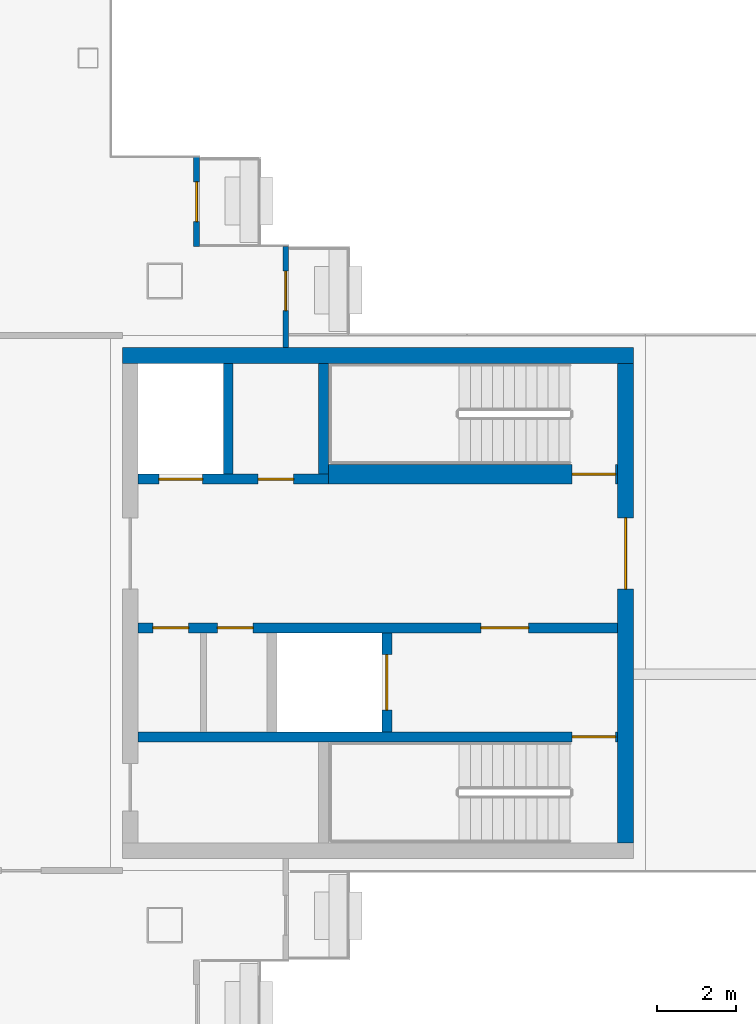
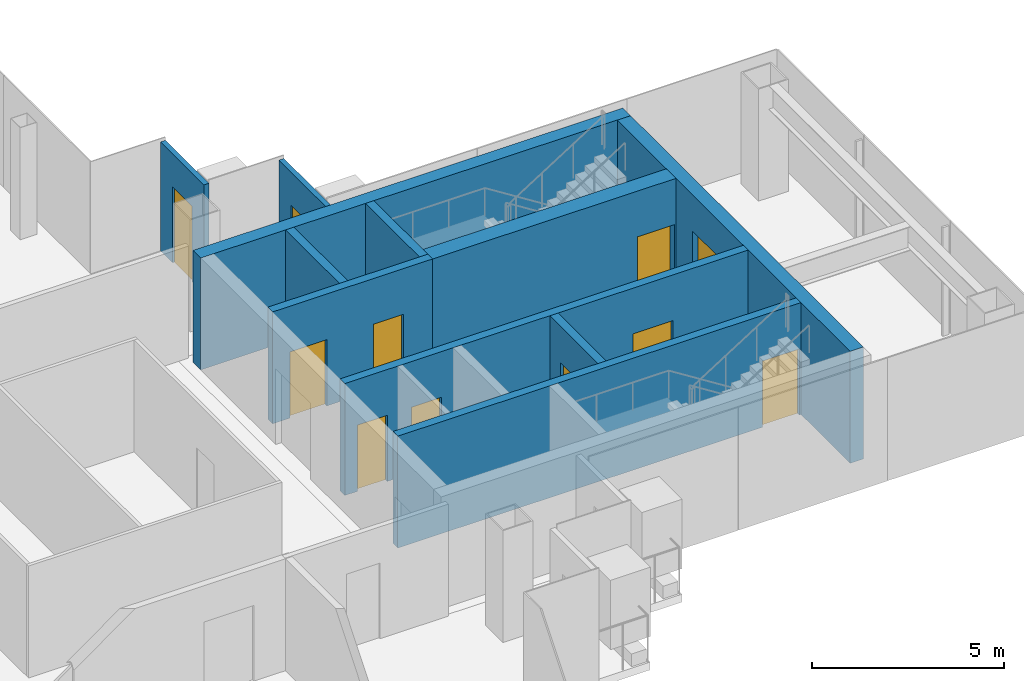
# One storey, part 12 of 16: 11 doors, 11 walls, 11 openings.
"""IFC4 building model written with IfcOpenShell, lengths in metres."""

from ifc_helpers import new_model, si_unit, direction, frame, frame_2d, origin, place, context, subcontext, project, spatial, rectangle, extrude, material, layer, layer_set, type_object, element, fill, save


model = new_model("IFC4")

# Units and contexts
model_context = context("Model", 3, precision=1e-05, world=origin(), true_north=direction((0.0, 1.0)))
body_context = subcontext(model_context, "Body", "Model", "MODEL_VIEW")
ifc_project = project(units=[si_unit("LENGTHUNIT", "METRE"), si_unit("AREAUNIT", "SQUARE_METRE"), si_unit("VOLUMEUNIT", "CUBIC_METRE"), si_unit("PLANEANGLEUNIT", "RADIAN"), si_unit("MASSUNIT", "GRAM", prefix="KILO")], contexts=[model_context])

# Site, building, storey
site_placement = place(None, origin())
site = spatial("IfcSite", under=ifc_project, at=site_placement, CompositionType="ELEMENT")
building_placement = place(site_placement, origin())
building = spatial("IfcBuilding", under=site, at=building_placement, Name="Shamsa Quay Exchange Towers", CompositionType="ELEMENT")
storey_placement = place(building_placement, frame((0.0, 0.0, 246.0)))
storey = spatial("IfcBuildingStorey", under=building, at=storey_placement, Name="L59", CompositionType="ELEMENT", Elevation=246.0)

# Wall, opening, door
ifc_material_1 = material(Name="Aluminium EN AW-6063 T6, black anodised, with black enamelled glass infill", Category="aluminium")
ifc_layer_1 = layer(ifc_material_1, 0.14990234375)
ifc_layer_set_1 = layer_set([ifc_layer_1], Name="BALCONY DOOR BAY WALL 150")
wall_type_1 = type_object("IfcWallType", Name="BALCONY DOOR BAY WALL 150", PredefinedType="SOLIDWALL", material=ifc_layer_set_1)
wall_1_placement = place(storey_placement, frame((42.675048828125, 11.25, 0.0), z_axis=(0.0, 0.0, 1.0), x_axis=(0.0, -1.0, 0.0)))
wall_1 = element("IfcWall", 1, at=wall_1_placement, inside=storey, type_object=wall_type_1, Name="Door bay T2-PKES L59", PredefinedType="SOLIDWALL", context=body_context, shape_type="SweptSolid", body=[
    extrude(rectangle(XDim=2.25, YDim=0.14990234375, at=frame_2d((1.125, 0.0))), origin(), (0.0, 0.0, 1.0), 3.449951171875),
])
opening_1_placement = place(wall_1_placement, frame((0.625, 0.0, 0.0)))
opening_1 = element("IfcOpeningElement", 2, at=opening_1_placement, cuts=wall_1, Name="Opening XD395", PredefinedType="OPENING", context=body_context, shape_type="SweptSolid", body=[
    extrude(rectangle(XDim=1.0, YDim=2.39990234375, at=frame_2d((0.5, 1.199951171875))), frame((0.0, 0.0849609375, 0.0), z_axis=(0.0, -1.0, 0.0), x_axis=(1.0, 0.0, 0.0)), (0.0, 0.0, 1.0), 0.169921875),
])
ifc_material_2 = material(Name="Aluminium EN AW-6063 T6, black anodised, with laminated glass leaf", Category="aluminium")
door_type_1 = type_object("IfcDoorType", Name="BALCONY DOOR 1000x2400", OperationType="SINGLE_SWING_LEFT", PredefinedType="DOOR", material=ifc_material_2)
door_1_placement = place(opening_1_placement, origin())
door_1 = element("IfcDoor", 3, at=door_1_placement, inside=storey, type_object=door_type_1, Name="Balcony door T2-PKES L59", OperationType="SINGLE_SWING_RIGHT", OverallHeight=2.39990234375, OverallWidth=1.0, PredefinedType="DOOR", context=body_context, shape_type="SweptSolid", body=[
    extrude(rectangle(XDim=1.0, YDim=2.39990234375, at=frame_2d((0.5, 1.199951171875))), frame((0.0, 0.02490234375, 0.0), z_axis=(0.0, -1.0, 0.0), x_axis=(1.0, 0.0, 0.0)), (0.0, 0.0, 1.0), 0.050048828125),
])
fill(opening_1, door_1)

wall_2_placement = place(storey_placement, frame((44.925048828125, 9.0, 0.0), z_axis=(0.0, 0.0, 1.0), x_axis=(0.0, -1.0, 0.0)))
wall_2 = element("IfcWall", 4, at=wall_2_placement, inside=storey, type_object=wall_type_1, Name="Door bay T2-PKES L59", PredefinedType="SOLIDWALL", context=body_context, shape_type="SweptSolid", body=[
    extrude(rectangle(XDim=2.556884765625, YDim=0.14990234375, at=frame_2d((1.2783203125, 0.0))), origin(), (0.0, 0.0, 1.0), 3.449951171875),
])
opening_2_placement = place(wall_2_placement, frame((0.625, 0.0, 0.0)))
opening_2 = element("IfcOpeningElement", 5, at=opening_2_placement, cuts=wall_2, Name="Opening XD396", PredefinedType="OPENING", context=body_context, shape_type="SweptSolid", body=[
    extrude(rectangle(XDim=1.0, YDim=2.39990234375, at=frame_2d((0.5, 1.199951171875))), frame((0.0, 0.0849609375, 0.0), z_axis=(0.0, -1.0, 0.0), x_axis=(1.0, 0.0, 0.0)), (0.0, 0.0, 1.0), 0.169921875),
])
door_2_placement = place(opening_2_placement, origin())
door_2 = element("IfcDoor", 6, at=door_2_placement, inside=storey, type_object=door_type_1, Name="Balcony door T2-PKES L59", OperationType="SINGLE_SWING_LEFT", OverallHeight=2.39990234375, OverallWidth=1.0, PredefinedType="DOOR", context=body_context, shape_type="SweptSolid", body=[
    extrude(rectangle(XDim=1.0, YDim=2.39990234375, at=frame_2d((0.5, 1.199951171875))), frame((0.0, 0.02490234375, 0.0), z_axis=(0.0, -1.0, 0.0), x_axis=(1.0, 0.0, 0.0)), (0.0, 0.0, 1.0), 0.050048828125),
])
fill(opening_2, door_2)

# Wall
ifc_material_3 = material(Name="Concrete C60/75", Category="concrete")
ifc_layer_2 = layer(ifc_material_3, 0.39990234375)
ifc_layer_set_2 = layer_set([ifc_layer_2], Name="CORE WALL 400 C60/75")
wall_type_2 = type_object("IfcWallType", Name="CORE WALL 400 C60/75", PredefinedType="SHEAR", material=ifc_layer_set_2)
wall_3_placement = place(storey_placement, frame((53.699951171875, 6.25, 0.0), z_axis=(0.0, 0.0, 1.0), x_axis=(-1.0, 0.0, 0.0)))
element("IfcWall", 7, at=wall_3_placement, inside=storey, type_object=wall_type_2, Name="Core wall T2B-R26-PN", PredefinedType="SHEAR", context=body_context, shape_type="SweptSolid", body=[
    extrude(rectangle(XDim=12.89990234375, YDim=0.39990234375, at=frame_2d((6.449951171875, 0.0))), origin(), (0.0, 0.0, 1.0), 3.550048828125),
])

# Wall, opening, door
wall_4_placement = place(storey_placement, frame((53.5, -6.050048828125, 0.0), z_axis=(0.0, 0.0, 1.0), x_axis=(0.0, 1.0, 0.0)))
wall_4 = element("IfcWall", 8, at=wall_4_placement, inside=storey, type_object=wall_type_2, Name="Core wall T2B-R26-PF", PredefinedType="SHEAR", context=body_context, shape_type="SweptSolid", body=[
    extrude(rectangle(XDim=12.10009765625, YDim=0.39990234375, at=frame_2d((6.050048828125, 0.0))), origin(), (0.0, 0.0, 1.0), 3.550048828125),
])
opening_3_placement = place(wall_4_placement, frame((6.39990234375, 0.0, 0.0)))
opening_3 = element("IfcOpeningElement", 9, at=opening_3_placement, cuts=wall_4, Name="Opening T2B-R26-LBD01", PredefinedType="OPENING", context=body_context, shape_type="SweptSolid", body=[
    extrude(rectangle(XDim=1.800048828125, YDim=2.39990234375, at=frame_2d((0.89990234375, 1.199951171875))), frame((0.0, 0.2099609375, 0.0), z_axis=(0.0, -1.0, 0.0), x_axis=(1.0, 0.0, 0.0)), (0.0, 0.0, 1.0), 0.419921875),
])
ifc_material_4 = material(Name="Steel, fire rated", Category="steel")
door_type_2 = type_object("IfcDoorType", Name="LIFT LOBBY DOOR PAIR 1800", OperationType="DOUBLE_DOOR_SINGLE_SWING", PredefinedType="DOOR", material=ifc_material_4)
door_3_placement = place(opening_3_placement, origin())
door_3 = element("IfcDoor", 10, at=door_3_placement, inside=storey, type_object=door_type_2, Name="T2B-R26-LBD01", OperationType="DOUBLE_DOOR_SINGLE_SWING", OverallHeight=2.39990234375, OverallWidth=1.800048828125, PredefinedType="DOOR", context=body_context, shape_type="SweptSolid", body=[
    extrude(rectangle(XDim=1.800048828125, YDim=2.39990234375, at=frame_2d((0.89990234375, 1.199951171875))), frame((0.0, 0.02490234375, 0.0), z_axis=(0.0, -1.0, 0.0), x_axis=(1.0, 0.0, 0.0)), (0.0, 0.0, 1.0), 0.050048828125),
])
fill(opening_3, door_3)

ifc_material_5 = material(Name="Concrete C50/60", Category="concrete")
ifc_layer_3 = layer(ifc_material_5, 0.25)
ifc_layer_set_3 = layer_set([ifc_layer_3], Name="SHAFT WALL 250 C50/60")
wall_type_3 = type_object("IfcWallType", Name="SHAFT WALL 250 C50/60", PredefinedType="SHEAR", material=ifc_layer_set_3)
wall_5_placement = place(storey_placement, frame((53.300048828125, -3.375, 0.0), z_axis=(0.0, 0.0, 1.0), x_axis=(-1.0, 0.0, 0.0)))
wall_5 = element("IfcWall", 11, at=wall_5_placement, inside=storey, type_object=wall_type_3, Name="Shaft wall T2B-R26-STL", PredefinedType="SHEAR", context=body_context, shape_type="SweptSolid", body=[
    extrude(rectangle(XDim=12.10009765625, YDim=0.25, at=frame_2d((6.050048828125, 0.0))), origin(), (0.0, 0.0, 1.0), 3.550048828125),
])
opening_4_placement = place(wall_5_placement, frame((0.050048828125, 0.0, 0.0)))
opening_4 = element("IfcOpeningElement", 12, at=opening_4_placement, cuts=wall_5, Name="Opening T2B-R26-SD04", PredefinedType="OPENING", context=body_context, shape_type="SweptSolid", body=[
    extrude(rectangle(XDim=1.10009765625, YDim=2.10009765625, at=frame_2d((0.550048828125, 1.050048828125))), frame((0.0, 0.135009765625, 0.0), z_axis=(0.0, -1.0, 0.0), x_axis=(1.0, 0.0, 0.0)), (0.0, 0.0, 1.0), 0.27001953125),
])
door_type_3 = type_object("IfcDoorType", Name="STAIR DOOR 1100", OperationType="SINGLE_SWING_LEFT", PredefinedType="DOOR", material=ifc_material_4)
door_4_placement = place(opening_4_placement, origin())
door_4 = element("IfcDoor", 13, at=door_4_placement, inside=storey, type_object=door_type_3, Name="T2B-R26-SD04", OperationType="SINGLE_SWING_LEFT", OverallHeight=2.10009765625, OverallWidth=1.10009765625, PredefinedType="DOOR", context=body_context, shape_type="SweptSolid", body=[
    extrude(rectangle(XDim=1.10009765625, YDim=2.10009765625, at=frame_2d((0.550048828125, 1.050048828125))), frame((0.0, 0.02490234375, 0.0), z_axis=(0.0, -1.0, 0.0), x_axis=(1.0, 0.0, 0.0)), (0.0, 0.0, 1.0), 0.050048828125),
])
fill(opening_4, door_4)

# Wall, openings, doors
wall_6_placement = place(storey_placement, frame((53.300048828125, -0.625, 0.0), z_axis=(0.0, 0.0, 1.0), x_axis=(-1.0, 0.0, 0.0)))
wall_6 = element("IfcWall", 14, at=wall_6_placement, inside=storey, type_object=wall_type_3, Name="Shaft wall T2B-R26-B", PredefinedType="SHEAR", context=body_context, shape_type="SweptSolid", body=[
    extrude(rectangle(XDim=12.10009765625, YDim=0.25, at=frame_2d((6.050048828125, 0.0))), origin(), (0.0, 0.0, 1.0), 3.550048828125),
])
opening_5_placement = place(wall_6_placement, frame((2.25, 0.0, 0.0)))
opening_5 = element("IfcOpeningElement", 15, at=opening_5_placement, cuts=wall_6, Name="Opening T2B-R26-FD05", PredefinedType="OPENING", context=body_context, shape_type="SweptSolid", body=[
    extrude(rectangle(XDim=1.199951171875, YDim=2.10009765625, at=frame_2d((0.60009765625, 1.050048828125))), frame((0.0, 0.135009765625, 0.0), z_axis=(0.0, -1.0, 0.0), x_axis=(1.0, 0.0, 0.0)), (0.0, 0.0, 1.0), 0.27001953125),
])
opening_6_placement = place(wall_6_placement, frame((9.199951171875, 0.0, 0.0)))
opening_6 = element("IfcOpeningElement", 16, at=opening_6_placement, cuts=wall_6, Name="Opening T2B-R26-SV06", PredefinedType="OPENING", context=body_context, shape_type="SweptSolid", body=[
    extrude(rectangle(XDim=0.89990234375, YDim=2.10009765625, at=frame_2d((0.449951171875, 1.050048828125))), frame((0.0, 0.135009765625, 0.0), z_axis=(0.0, -1.0, 0.0), x_axis=(1.0, 0.0, 0.0)), (0.0, 0.0, 1.0), 0.27001953125),
])
opening_7_placement = place(wall_6_placement, frame((10.824951171875, 0.0, 0.0)))
opening_7 = element("IfcOpeningElement", 17, at=opening_7_placement, cuts=wall_6, Name="Opening T2B-R26-SV07", PredefinedType="OPENING", context=body_context, shape_type="SweptSolid", body=[
    extrude(rectangle(XDim=0.89990234375, YDim=2.10009765625, at=frame_2d((0.449951171875, 1.050048828125))), frame((0.0, 0.135009765625, 0.0), z_axis=(0.0, -1.0, 0.0), x_axis=(1.0, 0.0, 0.0)), (0.0, 0.0, 1.0), 0.27001953125),
])
door_type_4 = type_object("IfcDoorType", Name="FIRE SERVICE LOBBY DOOR 1200", OperationType="SINGLE_SWING_LEFT", PredefinedType="DOOR", material=ifc_material_4)
door_5_placement = place(opening_5_placement, origin())
door_5 = element("IfcDoor", 18, at=door_5_placement, inside=storey, type_object=door_type_4, Name="T2B-R26-FD05", OperationType="SINGLE_SWING_LEFT", OverallHeight=2.10009765625, OverallWidth=1.199951171875, PredefinedType="DOOR", context=body_context, shape_type="SweptSolid", body=[
    extrude(rectangle(XDim=1.199951171875, YDim=2.10009765625, at=frame_2d((0.60009765625, 1.050048828125))), frame((0.0, 0.02490234375, 0.0), z_axis=(0.0, -1.0, 0.0), x_axis=(1.0, 0.0, 0.0)), (0.0, 0.0, 1.0), 0.050048828125),
])
fill(opening_5, door_5)
door_type_5 = type_object("IfcDoorType", Name="SERVICE ROOM DOOR 900", OperationType="SINGLE_SWING_LEFT", PredefinedType="DOOR", material=ifc_material_4)
door_6_placement = place(opening_6_placement, origin())
door_6 = element("IfcDoor", 19, at=door_6_placement, inside=storey, type_object=door_type_5, Name="T2B-R26-SV06", OperationType="SINGLE_SWING_RIGHT", OverallHeight=2.10009765625, OverallWidth=0.89990234375, PredefinedType="DOOR", context=body_context, shape_type="SweptSolid", body=[
    extrude(rectangle(XDim=0.89990234375, YDim=2.10009765625, at=frame_2d((0.449951171875, 1.050048828125))), frame((0.0, 0.02490234375, 0.0), z_axis=(0.0, -1.0, 0.0), x_axis=(1.0, 0.0, 0.0)), (0.0, 0.0, 1.0), 0.050048828125),
])
fill(opening_6, door_6)
door_7_placement = place(opening_7_placement, origin())
door_7 = element("IfcDoor", 20, at=door_7_placement, inside=storey, type_object=door_type_5, Name="T2B-R26-SV07", OperationType="SINGLE_SWING_RIGHT", OverallHeight=2.10009765625, OverallWidth=0.89990234375, PredefinedType="DOOR", context=body_context, shape_type="SweptSolid", body=[
    extrude(rectangle(XDim=0.89990234375, YDim=2.10009765625, at=frame_2d((0.449951171875, 1.050048828125))), frame((0.0, 0.02490234375, 0.0), z_axis=(0.0, -1.0, 0.0), x_axis=(1.0, 0.0, 0.0)), (0.0, 0.0, 1.0), 0.050048828125),
])
fill(opening_7, door_7)

# Wall, opening, door
wall_7_placement = place(storey_placement, frame((47.47509765625, -3.25, 0.0), z_axis=(0.0, 0.0, 1.0), x_axis=(0.0, 1.0, 0.0)))
wall_7 = element("IfcWall", 21, at=wall_7_placement, inside=storey, type_object=wall_type_3, Name="Shaft wall T2B-R26-FFF", PredefinedType="SHEAR", context=body_context, shape_type="SweptSolid", body=[
    extrude(rectangle(XDim=2.5, YDim=0.25, at=frame_2d((1.25, 0.0))), origin(), (0.0, 0.0, 1.0), 3.550048828125),
])
opening_8_placement = place(wall_7_placement, frame((0.550048828125, 0.0, 0.0)))
opening_8 = element("IfcOpeningElement", 22, at=opening_8_placement, cuts=wall_7, Name="Opening T2B-R26-LDG08", PredefinedType="OPENING", context=body_context, shape_type="SweptSolid", body=[
    extrude(rectangle(XDim=1.39990234375, YDim=2.39990234375, at=frame_2d((0.699951171875, 1.199951171875))), frame((0.0, 0.135009765625, 0.0), z_axis=(0.0, -1.0, 0.0), x_axis=(1.0, 0.0, 0.0)), (0.0, 0.0, 1.0), 0.27001953125),
])
door_type_6 = type_object("IfcDoorType", Name="GOODS LIFT LANDING DOOR 1400", OperationType="SLIDING_TO_LEFT", PredefinedType="DOOR", material=ifc_material_4)
door_8_placement = place(opening_8_placement, origin())
door_8 = element("IfcDoor", 23, at=door_8_placement, inside=storey, type_object=door_type_6, Name="T2B-R26-LDG08", OperationType="SLIDING_TO_LEFT", OverallHeight=2.39990234375, OverallWidth=1.39990234375, PredefinedType="DOOR", context=body_context, shape_type="SweptSolid", body=[
    extrude(rectangle(XDim=1.39990234375, YDim=2.39990234375, at=frame_2d((0.699951171875, 1.199951171875))), frame((0.0, 0.02490234375, 0.0), z_axis=(0.0, -1.0, 0.0), x_axis=(1.0, 0.0, 0.0)), (0.0, 0.0, 1.0), 0.050048828125),
])
fill(opening_8, door_8)

# Wall, openings, doors
wall_8_placement = place(storey_placement, frame((41.199951171875, 3.125, 0.0)))
wall_8 = element("IfcWall", 24, at=wall_8_placement, inside=storey, type_object=wall_type_3, Name="Shaft wall T2B-R26-N2", PredefinedType="SHEAR", context=body_context, shape_type="SweptSolid", body=[
    extrude(rectangle(XDim=4.800048828125, YDim=0.25, at=frame_2d((2.39990234375, 0.0))), origin(), (0.0, 0.0, 1.0), 3.550048828125),
])
opening_9_placement = place(wall_8_placement, frame((0.52490234375, 0.0, 0.0)))
opening_9 = element("IfcOpeningElement", 25, at=opening_9_placement, cuts=wall_8, Name="Opening T2B-R26-LD10", PredefinedType="OPENING", context=body_context, shape_type="SweptSolid", body=[
    extrude(rectangle(XDim=1.10009765625, YDim=2.10009765625, at=frame_2d((0.550048828125, 1.050048828125))), frame((0.0, 0.135009765625, 0.0), z_axis=(0.0, -1.0, 0.0), x_axis=(1.0, 0.0, 0.0)), (0.0, 0.0, 1.0), 0.27001953125),
])
opening_10_placement = place(wall_8_placement, frame((3.02490234375, 0.0, 0.0)))
opening_10 = element("IfcOpeningElement", 26, at=opening_10_placement, cuts=wall_8, Name="Opening T2B-R26-SV11", PredefinedType="OPENING", context=body_context, shape_type="SweptSolid", body=[
    extrude(rectangle(XDim=0.89990234375, YDim=2.10009765625, at=frame_2d((0.449951171875, 1.050048828125))), frame((0.0, 0.135009765625, 0.0), z_axis=(0.0, -1.0, 0.0), x_axis=(1.0, 0.0, 0.0)), (0.0, 0.0, 1.0), 0.27001953125),
])
door_type_7 = type_object("IfcDoorType", Name="LANDING DOOR 1100", OperationType="SLIDING_TO_LEFT", PredefinedType="DOOR", material=ifc_material_4)
door_9_placement = place(opening_9_placement, origin())
door_9 = element("IfcDoor", 27, at=door_9_placement, inside=storey, type_object=door_type_7, Name="T2B-R26-LD10", OperationType="SLIDING_TO_LEFT", OverallHeight=2.10009765625, OverallWidth=1.10009765625, PredefinedType="DOOR", context=body_context, shape_type="SweptSolid", body=[
    extrude(rectangle(XDim=1.10009765625, YDim=2.10009765625, at=frame_2d((0.550048828125, 1.050048828125))), frame((0.0, 0.02490234375, 0.0), z_axis=(0.0, -1.0, 0.0), x_axis=(1.0, 0.0, 0.0)), (0.0, 0.0, 1.0), 0.050048828125),
])
fill(opening_9, door_9)
door_10_placement = place(opening_10_placement, origin())
door_10 = element("IfcDoor", 28, at=door_10_placement, inside=storey, type_object=door_type_5, Name="T2B-R26-SV11", OperationType="SINGLE_SWING_RIGHT", OverallHeight=2.10009765625, OverallWidth=0.89990234375, PredefinedType="DOOR", context=body_context, shape_type="SweptSolid", body=[
    extrude(rectangle(XDim=0.89990234375, YDim=2.10009765625, at=frame_2d((0.449951171875, 1.050048828125))), frame((0.0, 0.02490234375, 0.0), z_axis=(0.0, -1.0, 0.0), x_axis=(1.0, 0.0, 0.0)), (0.0, 0.0, 1.0), 0.050048828125),
])
fill(opening_10, door_10)

# Walls
for number, where, z_axis, x_axis, name in (
    (29, (45.875, 3.25, 0.0), (0.0, 0.0, 1.0), (0.0, 1.0, 0.0), "Shaft wall T2B-R26-STF2"),
    (30, (43.47509765625, 3.25, 0.0), (0.0, 0.0, 1.0), (0.0, 1.0, 0.0), "Shaft wall T2B-R26-D0"),
):
    element("IfcWall", number, at=place(storey_placement, frame(where, z_axis=z_axis, x_axis=x_axis)), inside=storey, type_object=wall_type_3, Name=name, PredefinedType="SHEAR", context=body_context, shape_type="SweptSolid", body=[
        extrude(rectangle(XDim=2.800048828125, YDim=0.25, at=frame_2d((1.39990234375, 0.0))), origin(), (0.0, 0.0, 1.0), 3.550048828125),
    ])

# Wall, opening, door
ifc_layer_4 = layer(ifc_material_5, 0.5)
ifc_layer_set_4 = layer_set([ifc_layer_4], Name="SHAFT WALL 500 C50/60")
wall_type_4 = type_object("IfcWallType", Name="SHAFT WALL 500 C50/60", PredefinedType="SHEAR", material=ifc_layer_set_4)
wall_9_placement = place(storey_placement, frame((46.0, 3.25, 0.0)))
wall_9 = element("IfcWall", 31, at=wall_9_placement, inside=storey, type_object=wall_type_4, Name="Shaft wall T2B-R26-N", PredefinedType="SHEAR", context=body_context, shape_type="SweptSolid", body=[
    extrude(rectangle(XDim=7.300048828125, YDim=0.5, at=frame_2d((3.64990234375, 0.0))), origin(), (0.0, 0.0, 1.0), 3.550048828125),
])
opening_11_placement = place(wall_9_placement, frame((6.14990234375, 0.0, 0.0)))
opening_11 = element("IfcOpeningElement", 32, at=opening_11_placement, cuts=wall_9, Name="Opening T2B-R26-SD09", PredefinedType="OPENING", context=body_context, shape_type="SweptSolid", body=[
    extrude(rectangle(XDim=1.10009765625, YDim=2.10009765625, at=frame_2d((0.550048828125, 1.050048828125))), frame((0.0, 0.260009765625, 0.0), z_axis=(0.0, -1.0, 0.0), x_axis=(1.0, 0.0, 0.0)), (0.0, 0.0, 1.0), 0.52001953125),
])
door_11_placement = place(opening_11_placement, origin())
door_11 = element("IfcDoor", 33, at=door_11_placement, inside=storey, type_object=door_type_3, Name="T2B-R26-SD09", OperationType="SINGLE_SWING_RIGHT", OverallHeight=2.10009765625, OverallWidth=1.10009765625, PredefinedType="DOOR", context=body_context, shape_type="SweptSolid", body=[
    extrude(rectangle(XDim=1.10009765625, YDim=2.10009765625, at=frame_2d((0.550048828125, 1.050048828125))), frame((0.0, 0.02490234375, 0.0), z_axis=(0.0, -1.0, 0.0), x_axis=(1.0, 0.0, 0.0)), (0.0, 0.0, 1.0), 0.050048828125),
])
fill(opening_11, door_11)

save(model, "model.ifc")
